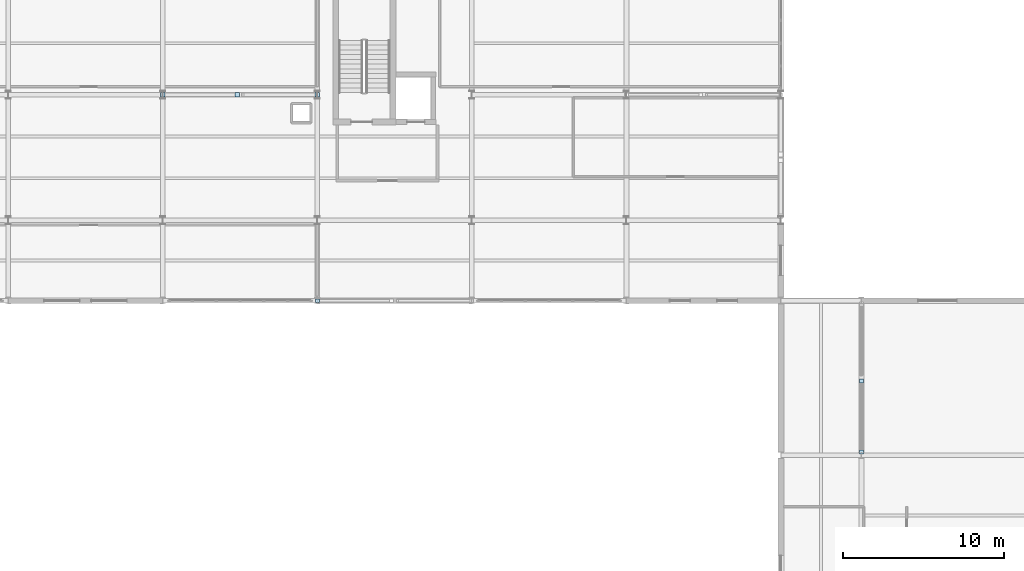
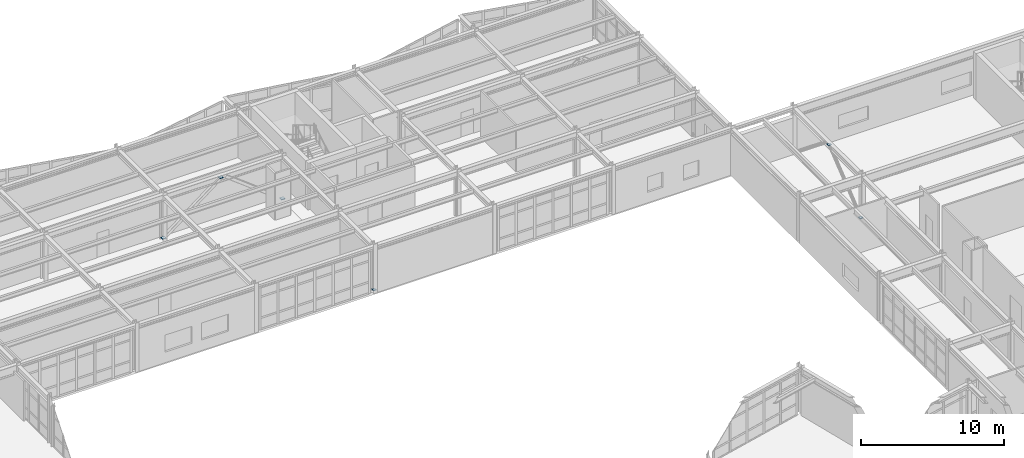
# One storey, part 66 of 88: 6 plates.
"""IFC4 building model written with IfcOpenShell, lengths in metres."""

import ifcopenshell
import ifcopenshell.guid

model = None  # the IFC model being written
_history = None  # IfcOwnerHistory: only IFC2X3 demands one
_inside = {}  # id of a spatial element -> (the spatial element, [elements in it])
_under = {}  # id of a project, library or spatial element -> (it, [spatial elements below it])
_declared = {}  # id of a project -> (the project, [libraries it declares])
_typed = {}  # id of a type object -> (the type object, [elements of that type])
_made_of = {}  # id of a material, layer set ... -> (it, [elements and type objects made of it])


def new_model(schema):
    """Start an empty IFC model of exactly this schema.

    Asked for "IFC4X3", IfcOpenShell would pick the latest addendum, in which some entities
    have other attributes; the version numbers below select the first issue.
    IFC2X3 requires an IfcOwnerHistory on every rooted entity: one is made here for all.
    """
    global model, _history
    if schema == "IFC4X3":
        model = ifcopenshell.file(schema_version=(4, 3, 0, 0))
    else:
        model = ifcopenshell.file(schema=schema)
    _inside.clear()
    _under.clear()
    _declared.clear()
    _typed.clear()
    _made_of.clear()
    _history = None
    if model.schema == "IFC2X3":
        org = make("IfcOrganization", Name="unknown")
        user = make(
            "IfcPersonAndOrganization",
            ThePerson=make("IfcPerson", FamilyName="unknown"),
            TheOrganization=org,
        )
        app = make(
            "IfcApplication",
            ApplicationDeveloper=org,
            Version="unknown",
            ApplicationFullName="unknown",
            ApplicationIdentifier="unknown",
        )
        _history = make(
            "IfcOwnerHistory",
            OwningUser=user,
            OwningApplication=app,
            ChangeAction="ADDED",
            CreationDate=0,
        )
    return model


def make(cls, **values):
    """One entity of the class cls with the attributes given. An attribute that is None is left unset."""
    return model.create_entity(
        cls, **{name: value for name, value in values.items() if value is not None}
    )


def rooted(cls, **values):
    """An entity with a GlobalId (a new one), such as an element, a storey or a relation."""
    return make(cls, GlobalId=ifcopenshell.guid.new(), OwnerHistory=_history, **values)


def si_unit(unit_type, name, prefix=None):
    """IfcSIUnit, for example si_unit("LENGTHUNIT", "METRE", prefix="MILLI")."""
    return make("IfcSIUnit", UnitType=unit_type, Prefix=prefix, Name=name)


def assignment(units):
    """IfcUnitAssignment: the units of a project."""
    return None if units is None else make("IfcUnitAssignment", Units=units)


def point(xyz):
    """IfcCartesianPoint."""
    return None if xyz is None else make("IfcCartesianPoint", Coordinates=xyz)


def direction(xyz):
    """IfcDirection."""
    return None if xyz is None else make("IfcDirection", DirectionRatios=xyz)


def frame(location, z_axis=None, x_axis=None):
    """IfcAxis2Placement3D, a coordinate frame: its origin and axes. An axis left out is left unset."""
    return make(
        "IfcAxis2Placement3D",
        Location=point(location),
        Axis=direction(z_axis),
        RefDirection=direction(x_axis),
    )


def frame_2d(location, x_axis=None):
    """IfcAxis2Placement2D, a coordinate frame in the plane: its origin and x axis."""
    return make(
        "IfcAxis2Placement2D", Location=point(location), RefDirection=direction(x_axis)
    )


def origin():
    """The frame at (0, 0, 0) with its axes left unset."""
    return frame((0.0, 0.0, 0.0))


def origin_2d():
    """The frame at (0, 0) in the plane with its x axis left unset."""
    return frame_2d((0.0, 0.0))


def place(relative_to, where):
    """IfcLocalPlacement: puts the frame where relative to a parent placement (None: the world)."""
    return make(
        "IfcLocalPlacement", PlacementRelTo=relative_to, RelativePlacement=where
    )


def context(
    kind, dimensions, precision=None, world=None, true_north=None, identifier=None
):
    """IfcGeometricRepresentationContext, for example the 3D "Model" context."""
    return make(
        "IfcGeometricRepresentationContext",
        ContextIdentifier=identifier,
        ContextType=kind,
        CoordinateSpaceDimension=dimensions,
        Precision=precision,
        WorldCoordinateSystem=world,
        TrueNorth=true_north,
    )


def subcontext(parent, identifier, kind, view, scale=None):
    """IfcGeometricRepresentationSubContext, for example "Body" below "Model"."""
    return make(
        "IfcGeometricRepresentationSubContext",
        ContextIdentifier=identifier,
        ContextType=kind,
        ParentContext=parent,
        TargetScale=scale,
        TargetView=view,
    )


def project(units=None, contexts=None):
    """IfcProject with its units and contexts."""
    return rooted(
        "IfcProject",
        Name="project",
        RepresentationContexts=contexts,
        UnitsInContext=assignment(units),
    )


def spatial(cls, under=None, at=None, **own):
    """A site, building, storey or space (cls), placed at a placement, below another one or the project."""
    s = rooted(cls, ObjectPlacement=at, **own)
    if under is not None:
        _under.setdefault(under.id(), (under, []))[1].append(s)
    return s


def profile(cls, at=None, kind="AREA", **sizes):
    """A parametric profile (cls). Its sizes go by their IFC names, for example OverallWidth=200.0."""
    return make(cls, ProfileType=kind, Position=at, **sizes)


def rectangle(**sizes):
    """IfcRectangleProfileDef."""
    return profile("IfcRectangleProfileDef", **sizes)


def extrude(swept, where, along, depth):
    """IfcExtrudedAreaSolid: the profile swept, set in the frame where, extruded along a direction by depth."""
    return make(
        "IfcExtrudedAreaSolid",
        SweptArea=swept,
        Position=where,
        ExtrudedDirection=direction(along),
        Depth=depth,
    )


def shape(context_of_items, identifier, shape_type, items):
    """IfcShapeRepresentation: the items that make up one representation, for example the "Body"."""
    return make(
        "IfcShapeRepresentation",
        ContextOfItems=context_of_items,
        RepresentationIdentifier=identifier,
        RepresentationType=shape_type,
        Items=items,
    )


def material(Name=None, Category=None):
    """IfcMaterial."""
    return make("IfcMaterial", Name=Name, Category=Category)


def layer(
    of_material, thickness, ventilated=None, Name=None, Category=None, Priority=None
):
    """IfcMaterialLayer: one layer of a wall or slab, of a material (None: an air gap)."""
    return make(
        "IfcMaterialLayer",
        Material=of_material,
        LayerThickness=thickness,
        IsVentilated=ventilated,
        Name=Name,
        Category=Category,
        Priority=Priority,
    )


def layer_set(layers, Name=None):
    """IfcMaterialLayerSet."""
    return make("IfcMaterialLayerSet", MaterialLayers=layers, LayerSetName=Name)


def made_of(thing, what):
    """Note that an element or type object is made of a material, layer set ...; save() writes the relation."""
    if what is not None:
        _made_of.setdefault(what.id(), (what, []))[1].append(thing)
    return thing


def type_object(cls, material=None, **own):
    """A type object (cls), such as IfcWallType, which elements share."""
    return made_of(rooted(cls, **own), material)


def element(
    cls,
    number,
    at=None,
    inside=None,
    cuts=None,
    type_object=None,
    material=None,
    context=None,
    identifier="Body",
    shape_type=None,
    held_by="IfcProductDefinitionShape",
    body=None,
    shapes=None,
    **own,
):
    """One element of the class cls, such as IfcWall. Its Tag is "e" and its number.

    at: its placement. inside: the storey or other place that contains it. cuts: it is an
    opening in that element (IfcRelVoidsElement). A single representation is given by context,
    identifier, shape_type and body (its items); several are given by shapes. held_by: the class
    of the entity that holds the representations. save() writes the other relations.
    """
    e = rooted(cls, Tag="e%d" % number, ObjectPlacement=at, **own)
    if body is not None:
        shapes = [shape(context, identifier, shape_type, body)]
    if shapes is not None:
        e.Representation = make(held_by, Representations=shapes)
    if inside is not None:
        _inside.setdefault(inside.id(), (inside, []))[1].append(e)
    if cuts is not None:
        rooted(
            "IfcRelVoidsElement", RelatingBuildingElement=cuts, RelatedOpeningElement=e
        )
    if type_object is not None:
        _typed.setdefault(type_object.id(), (type_object, []))[1].append(e)
    return made_of(e, material)


def aggregate(whole, parts):
    """IfcRelAggregates: a whole, such as a stair, and the parts it consists of."""
    return rooted("IfcRelAggregates", RelatingObject=whole, RelatedObjects=parts)


def save(model, path):
    """Write the relations noted so far, then the file.

    IfcRelAggregates (storeys below a building ...), IfcRelContainedInSpatialStructure (elements
    in a storey), IfcRelDefinesByType, IfcRelAssociatesMaterial and IfcRelDeclares: one each for
    every whole, place, type object, material and project.
    """
    for whole, parts in _under.values():
        aggregate(whole, parts)
    for where, things in _inside.values():
        rooted(
            "IfcRelContainedInSpatialStructure",
            RelatedElements=things,
            RelatingStructure=where,
        )
    for kind, things in _typed.values():
        rooted("IfcRelDefinesByType", RelatedObjects=things, RelatingType=kind)
    for what, things in _made_of.values():
        rooted("IfcRelAssociatesMaterial", RelatedObjects=things, RelatingMaterial=what)
    for by, libraries in _declared.values():
        rooted("IfcRelDeclares", RelatingContext=by, RelatedDefinitions=libraries)
    model.write(path)


model = new_model("IFC4")

# Units and contexts
model_context = context("Model", 3, precision=1e-05, world=origin(), true_north=direction((0.0, 1.0)))
body_context = subcontext(model_context, "Body", "Model", "MODEL_VIEW")
ifc_project = project(units=[si_unit("LENGTHUNIT", "METRE"), si_unit("AREAUNIT", "SQUARE_METRE"), si_unit("VOLUMEUNIT", "CUBIC_METRE"), si_unit("PLANEANGLEUNIT", "RADIAN"), si_unit("MASSUNIT", "GRAM", prefix="KILO")], contexts=[model_context])

# Site, building, storey
site_placement = place(None, origin())
site = spatial("IfcSite", under=ifc_project, at=site_placement, CompositionType="ELEMENT")
building_placement = place(site_placement, origin())
building = spatial("IfcBuilding", under=site, at=building_placement, Name="Nordkorset Police Headquarters", CompositionType="ELEMENT")
storey_placement = place(building_placement, frame((0.0, 0.0, 9.449951171875)))
storey = spatial("IfcBuildingStorey", under=building, at=storey_placement, Name="L02", CompositionType="ELEMENT", Elevation=9.449951171875)

# Plates
ifc_material = material(Name="Steel S355J2", Category="steel")
ifc_layer = layer(ifc_material, 0.02001953125, Name="Steel S355J2")
ifc_layer_set = layer_set([ifc_layer], Name="Steel S355J2")
plate_type = type_object("IfcPlateType", Name="SteelPlate_20mm", PredefinedType="SHEET", material=ifc_layer_set)
for number, where, z_axis, x_axis, name in (
    (1, (48.00732421875, 110.39990234375, 0.18994140625), (0.0, 0.0, 1.0), (1.0, 0.0, 0.0), "Hollow Section End Cap Plate BF-V2-A-L02-D1-0"),
    (2, (52.6201171875, 110.39990234375, 3.739990234375), (0.0, 0.0, 1.0), (1.0, 0.0, 0.0), "Hollow Section End Cap Plate BF-V2-A-L02-D1-1"),
    (3, (57.5927734375, 110.39990234375, 0.18994140625), (0.0, 0.0, 1.0), (1.0, 0.0, 0.0), "Hollow Section End Cap Plate BF-V2-A-L02-D2-0"),
):
    element("IfcPlate", number, at=place(storey_placement, frame(where, z_axis=z_axis, x_axis=x_axis)), inside=storey, type_object=plate_type, Name=name, PredefinedType="SHEET", context=body_context, shape_type="SweptSolid", body=[
        extrude(rectangle(XDim=0.2900390625, YDim=0.2900390625, at=origin_2d()), origin(), (0.0, 0.0, 1.0), 0.02001953125),
    ])
for number, where, z_axis, x_axis, name in (
    (4, (91.39990234375, 88.199951171875, 0.18994140625), (0.0, 0.0, 1.0), (1.0, 0.0, 0.0), "Hollow Section End Cap Plate BF-V5-A-L02-D1-0"),
    (5, (91.39990234375, 92.6201171875, 3.739990234375), (0.0, 0.0, 1.0), (1.0, 0.0, 0.0), "Hollow Section End Cap Plate BF-V5-A-L02-D1-1"),
):
    element("IfcPlate", number, at=place(storey_placement, frame(where, z_axis=z_axis, x_axis=x_axis)), inside=storey, type_object=plate_type, Name=name, PredefinedType="SHEET", context=body_context, shape_type="SweptSolid", body=[
        extrude(rectangle(XDim=0.259033203125, YDim=0.259033203125, at=origin_2d()), origin(), (0.0, 0.0, 1.0), 0.02001953125),
    ])
plate_placement = place(storey_placement, frame((57.606689453125, 97.60009765625, 0.18994140625), z_axis=(0.0, 0.0, 1.0), x_axis=(1.0, 0.0, 0.0)))
element("IfcPlate", 6, at=plate_placement, inside=storey, type_object=plate_type, Name="Hollow Section End Cap Plate BF-EXT-V2S-L02-D1-0", PredefinedType="SHEET", context=body_context, shape_type="SweptSolid", body=[
    extrude(rectangle(XDim=0.239990234375, YDim=0.239990234375, at=origin_2d()), origin(), (0.0, 0.0, 1.0), 0.02001953125),
])

save(model, "model.ifc")
